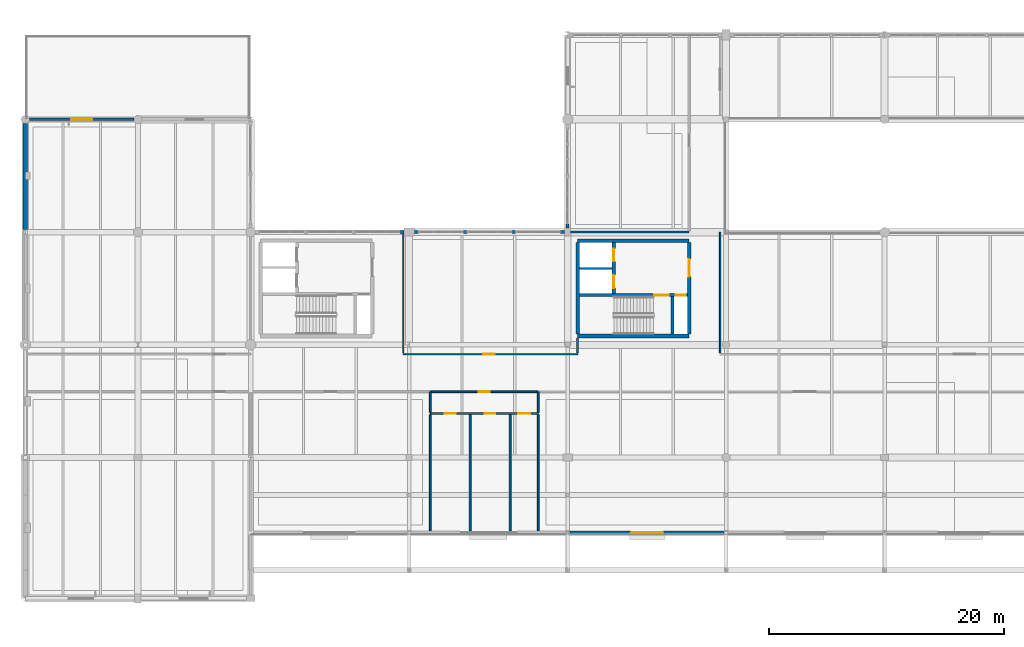
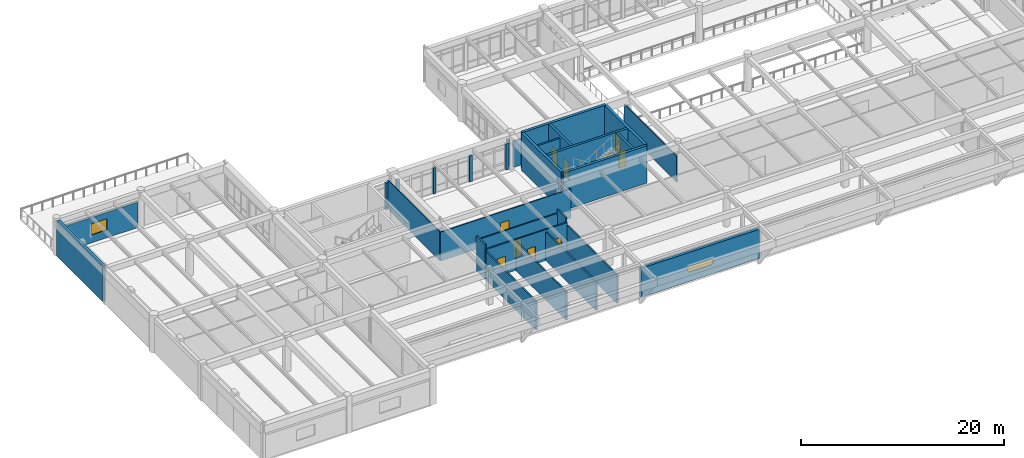
# One storey, part 65 of 80: 30 walls, 10 doors, 2 windows, 12 openings.
"""IFC4 building model written with IfcOpenShell, lengths in metres."""

from ifc_helpers import new_model, si_unit, direction, frame, frame_2d, origin, place, context, subcontext, project, spatial, polyline, rectangle, outline, extrude, material, layer, layer_set, type_object, element, fill, save


model = new_model("IFC4")

# Units and contexts
model_context = context("Model", 3, precision=1e-05, world=origin(), true_north=direction((0.0, 1.0)))
body_context = subcontext(model_context, "Body", "Model", "MODEL_VIEW")
ifc_project = project(units=[si_unit("LENGTHUNIT", "METRE"), si_unit("AREAUNIT", "SQUARE_METRE"), si_unit("VOLUMEUNIT", "CUBIC_METRE"), si_unit("PLANEANGLEUNIT", "RADIAN"), si_unit("MASSUNIT", "GRAM", prefix="KILO")], contexts=[model_context])

# Site, building, storey
site_placement = place(None, origin())
site = spatial("IfcSite", under=ifc_project, at=site_placement, CompositionType="ELEMENT")
building_placement = place(site_placement, origin())
building = spatial("IfcBuilding", under=site, at=building_placement, Name="Fikremerkos Civic Library", CompositionType="ELEMENT")
storey_placement = place(building_placement, frame((0.0, 0.0, 9.89990234375)))
storey = spatial("IfcBuildingStorey", under=building, at=storey_placement, Name="L02", CompositionType="ELEMENT", Elevation=9.89990234375)

# Walls
ifc_material_1 = material(Name="Concrete C40/50", Category="concrete")
ifc_layer_1 = layer(ifc_material_1, 0.300048828125, Name="Concrete C40/50")
ifc_layer_set_1 = layer_set([ifc_layer_1], Name="Concrete C40/50")
wall_type_1 = type_object("IfcWallType", Name="Core shear wall CSW-01 300", PredefinedType="SHEAR", material=ifc_layer_set_1)
for number, where, z_axis, x_axis, name in (
    (1, (56.550048828125, 22.35009765625, 0.0), (0.0, 0.0, 1.0), (-1.0, 0.0, 0.0), "Core K3 south shear wall L02"),
    (2, (47.050048828125, 30.449951171875, 0.0), (0.0, 0.0, 1.0), (1.0, 0.0, 0.0), "Core K3 north shear wall L02"),
):
    element("IfcWall", number, at=place(storey_placement, frame(where, z_axis=z_axis, x_axis=x_axis)), inside=storey, type_object=wall_type_1, Name=name, PredefinedType="SHEAR", context=body_context, shape_type="SweptSolid", body=[
        extrude(rectangle(XDim=9.5, YDim=0.300048828125, at=frame_2d((4.75, 0.0))), origin(), (0.0, 0.0, 1.0), 4.5),
    ])
wall_1_placement = place(storey_placement, frame((47.050048828125, 22.501953125, 0.0), z_axis=(0.0, 0.0, 1.0), x_axis=(0.0, 1.0, 0.0)))
element("IfcWall", 3, at=wall_1_placement, inside=storey, type_object=wall_type_1, Name="Core K3 west shear wall L02", PredefinedType="SHEAR", context=body_context, shape_type="SweptSolid", body=[
    extrude(rectangle(XDim=7.796142578125, YDim=0.300048828125, at=frame_2d((3.89794921875, 0.0))), origin(), (0.0, 0.0, 1.0), 4.5),
])

# Wall, opening, door
wall_2_placement = place(storey_placement, frame((56.550048828125, 30.298095703125, 0.0), z_axis=(0.0, 0.0, 1.0), x_axis=(0.0, -1.0, 0.0)))
wall_2 = element("IfcWall", 4, at=wall_2_placement, inside=storey, type_object=wall_type_1, Name="Core K3 east shear wall L02", PredefinedType="SHEAR", context=body_context, shape_type="SweptSolid", body=[
    extrude(rectangle(XDim=7.796142578125, YDim=0.300048828125, at=frame_2d((3.89794921875, 0.0))), origin(), (0.0, 0.0, 1.0), 4.5),
])
opening_1_placement = place(wall_2_placement, frame((1.39794921875, 0.0, 0.0)))
opening_1 = element("IfcOpeningElement", 5, at=opening_1_placement, cuts=wall_2, Name="Opening D089", PredefinedType="OPENING", context=body_context, shape_type="SweptSolid", body=[
    extrude(rectangle(XDim=1.5, YDim=2.25, at=frame_2d((0.75, 1.125))), frame((0.0, 0.159912109375, 0.0), z_axis=(0.0, -1.0, 0.0), x_axis=(1.0, 0.0, 0.0)), (0.0, 0.0, 1.0), 0.320068359375),
])
ifc_material_2 = material(Name="Hardwood timber and acoustic glass", Category="wood")
door_type_1 = type_object("IfcDoorType", Name="Pedestrian door DT-05 1500x2250", OperationType="NOTDEFINED", PredefinedType="DOOR", material=ifc_material_2)
door_1_placement = place(opening_1_placement, origin())
door_1 = element("IfcDoor", 6, at=door_1_placement, inside=storey, type_object=door_type_1, Name="Core K3 lobby fire door D089 L02", OperationType="SINGLE_SWING_RIGHT", OverallHeight=2.25, OverallWidth=1.5, PredefinedType="DOOR", context=body_context, shape_type="SweptSolid", body=[
    extrude(rectangle(XDim=1.5, YDim=2.25, at=frame_2d((0.75, 1.125))), frame((0.0, 0.032470703125, 0.0), z_axis=(0.0, -1.0, 0.0), x_axis=(1.0, 0.0, 0.0)), (0.0, 0.0, 1.0), 0.06494140625),
])
fill(opening_1, door_1)

# Wall, openings, doors
ifc_layer_2 = layer(ifc_material_1, 0.260009765625, Name="Concrete C40/50")
ifc_layer_set_2 = layer_set([ifc_layer_2], Name="Concrete C40/50")
wall_type_2 = type_object("IfcWallType", Name="Core shear wall CSW-02 260", PredefinedType="SHEAR", material=ifc_layer_set_2)
wall_3_placement = place(storey_placement, frame((47.201904296875, 25.830078125, 0.0), z_axis=(0.0, 0.0, 1.0), x_axis=(1.0, 0.0, 0.0)))
wall_3 = element("IfcWall", 7, at=wall_3_placement, inside=storey, type_object=wall_type_2, Name="Core K3 stair compartment wall L02", PredefinedType="SHEAR", context=body_context, shape_type="SweptSolid", body=[
    extrude(rectangle(XDim=9.196044921875, YDim=0.260009765625, at=frame_2d((4.59814453125, 0.0))), origin(), (0.0, 0.0, 1.0), 4.5),
])
opening_2_placement = place(wall_3_placement, frame((6.39794921875, 0.0, 0.0)))
opening_2 = element("IfcOpeningElement", 8, at=opening_2_placement, cuts=wall_3, Name="Opening D090", PredefinedType="OPENING", context=body_context, shape_type="SweptSolid", body=[
    extrude(rectangle(XDim=1.199951171875, YDim=2.199951171875, at=frame_2d((0.60009765625, 1.10009765625))), frame((0.0, 0.139892578125, 0.0), z_axis=(0.0, -1.0, 0.0), x_axis=(1.0, 0.0, 0.0)), (0.0, 0.0, 1.0), 0.280029296875),
])
opening_3_placement = place(wall_3_placement, frame((8.202880859375, 0.0, 0.0)))
opening_3 = element("IfcOpeningElement", 9, at=opening_3_placement, cuts=wall_3, Name="Opening D091", PredefinedType="OPENING", context=body_context, shape_type="SweptSolid", body=[
    extrude(rectangle(XDim=0.85009765625, YDim=2.050048828125, at=frame_2d((0.425048828125, 1.02490234375))), frame((0.0, 0.139892578125, 0.0), z_axis=(0.0, -1.0, 0.0), x_axis=(1.0, 0.0, 0.0)), (0.0, 0.0, 1.0), 0.280029296875),
])
door_type_2 = type_object("IfcDoorType", Name="Pedestrian door DT-06 1200x2200", OperationType="NOTDEFINED", PredefinedType="DOOR", material=ifc_material_2)
door_2_placement = place(opening_2_placement, origin())
door_2 = element("IfcDoor", 10, at=door_2_placement, inside=storey, type_object=door_type_2, Name="Core K3 stair fire door D090 L02", OperationType="SINGLE_SWING_RIGHT", OverallHeight=2.199951171875, OverallWidth=1.199951171875, PredefinedType="DOOR", context=body_context, shape_type="SweptSolid", body=[
    extrude(rectangle(XDim=1.199951171875, YDim=2.199951171875, at=frame_2d((0.60009765625, 1.10009765625))), frame((0.0, 0.032470703125, 0.0), z_axis=(0.0, -1.0, 0.0), x_axis=(1.0, 0.0, 0.0)), (0.0, 0.0, 1.0), 0.06494140625),
])
fill(opening_2, door_2)
door_type_3 = type_object("IfcDoorType", Name="Pedestrian door DT-08 850x2050", OperationType="NOTDEFINED", PredefinedType="DOOR", material=ifc_material_2)
door_3_placement = place(opening_3_placement, origin())
door_3 = element("IfcDoor", 11, at=door_3_placement, inside=storey, type_object=door_type_3, Name="Core K3 riser access fire door D091 L02", OperationType="SINGLE_SWING_LEFT", OverallHeight=2.050048828125, OverallWidth=0.85009765625, PredefinedType="DOOR", context=body_context, shape_type="SweptSolid", body=[
    extrude(rectangle(XDim=0.85009765625, YDim=2.050048828125, at=frame_2d((0.425048828125, 1.02490234375))), frame((0.0, 0.032470703125, 0.0), z_axis=(0.0, -1.0, 0.0), x_axis=(1.0, 0.0, 0.0)), (0.0, 0.0, 1.0), 0.06494140625),
])
fill(opening_3, door_3)

# Wall
wall_4_placement = place(storey_placement, frame((55.1298828125, 22.501953125, 0.0), z_axis=(0.0, 0.0, 1.0), x_axis=(0.0, 1.0, 0.0)))
element("IfcWall", 12, at=wall_4_placement, inside=storey, type_object=wall_type_2, Name="Core K3 stair-riser shear wall L02", PredefinedType="SHEAR", context=body_context, shape_type="SweptSolid", body=[
    extrude(rectangle(XDim=3.196044921875, YDim=0.260009765625, at=frame_2d((1.59814453125, 0.0))), origin(), (0.0, 0.0, 1.0), 4.5),
])

# Wall, openings, doors
wall_5_placement = place(storey_placement, frame((50.1298828125, 25.9619140625, 0.0), z_axis=(0.0, 0.0, 1.0), x_axis=(0.0, 1.0, 0.0)))
wall_5 = element("IfcWall", 13, at=wall_5_placement, inside=storey, type_object=wall_type_2, Name="Core K3 lift shaft front wall L02", PredefinedType="SHEAR", context=body_context, shape_type="SweptSolid", body=[
    extrude(rectangle(XDim=4.336181640625, YDim=0.260009765625, at=frame_2d((2.16796875, 0.0))), origin(), (0.0, 0.0, 1.0), 4.5),
])
opening_4_placement = place(wall_5_placement, frame((0.468017578125, 0.0, 0.0)))
opening_4 = element("IfcOpeningElement", 14, at=opening_4_placement, cuts=wall_5, Name="Opening LD41", PredefinedType="OPENING", context=body_context, shape_type="SweptSolid", body=[
    extrude(rectangle(XDim=1.10009765625, YDim=2.14990234375, at=frame_2d((0.550048828125, 1.074951171875))), frame((0.0, 0.139892578125, 0.0), z_axis=(0.0, -1.0, 0.0), x_axis=(1.0, 0.0, 0.0)), (0.0, 0.0, 1.0), 0.280029296875),
])
opening_5_placement = place(wall_5_placement, frame((2.738037109375, 0.0, 0.0)))
opening_5 = element("IfcOpeningElement", 15, at=opening_5_placement, cuts=wall_5, Name="Opening LD42", PredefinedType="OPENING", context=body_context, shape_type="SweptSolid", body=[
    extrude(rectangle(XDim=1.10009765625, YDim=2.14990234375, at=frame_2d((0.550048828125, 1.074951171875))), frame((0.0, 0.139892578125, 0.0), z_axis=(0.0, -1.0, 0.0), x_axis=(1.0, 0.0, 0.0)), (0.0, 0.0, 1.0), 0.280029296875),
])
ifc_material_3 = material(Name="Brushed stainless steel", Category="steel")
door_type_4 = type_object("IfcDoorType", Name="Lift landing door LDT-01 1100x2150", OperationType="NOTDEFINED", PredefinedType="DOOR", material=ifc_material_3)
door_4_placement = place(opening_4_placement, origin())
door_4 = element("IfcDoor", 16, at=door_4_placement, inside=storey, type_object=door_type_4, Name="Lift LF05 sliding landing door LD41 L02", OperationType="SLIDING_TO_LEFT", OverallHeight=2.14990234375, OverallWidth=1.10009765625, PredefinedType="DOOR", context=body_context, shape_type="SweptSolid", body=[
    extrude(rectangle(XDim=1.10009765625, YDim=2.14990234375, at=frame_2d((0.550048828125, 1.074951171875))), frame((0.0, 0.032470703125, 0.0), z_axis=(0.0, -1.0, 0.0), x_axis=(1.0, 0.0, 0.0)), (0.0, 0.0, 1.0), 0.06494140625),
])
fill(opening_4, door_4)
door_5_placement = place(opening_5_placement, origin())
door_5 = element("IfcDoor", 17, at=door_5_placement, inside=storey, type_object=door_type_4, Name="Lift LF06 sliding landing door LD42 L02", OperationType="SLIDING_TO_LEFT", OverallHeight=2.14990234375, OverallWidth=1.10009765625, PredefinedType="DOOR", context=body_context, shape_type="SweptSolid", body=[
    extrude(rectangle(XDim=1.10009765625, YDim=2.14990234375, at=frame_2d((0.550048828125, 1.074951171875))), frame((0.0, 0.032470703125, 0.0), z_axis=(0.0, -1.0, 0.0), x_axis=(1.0, 0.0, 0.0)), (0.0, 0.0, 1.0), 0.06494140625),
])
fill(opening_5, door_5)

# Wall
ifc_layer_3 = layer(ifc_material_1, 0.35009765625, Name="Concrete C40/50")
ifc_layer_set_3 = layer_set([ifc_layer_3], Name="Concrete C40/50")
wall_type_3 = type_object("IfcWallType", Name="Exterior solid wall ESW-01 350", PredefinedType="SOLIDWALL", material=ifc_layer_set_3)
wall_6_placement = place(storey_placement, frame((0.0, 31.41796875, 0.0), z_axis=(0.0, 0.0, 1.0), x_axis=(0.0, 1.0, 0.0)))
element("IfcWall", 18, at=wall_6_placement, inside=storey, type_object=wall_type_3, Name="Party boundary wall ESW-01 L02 #474", PredefinedType="SOLIDWALL", context=body_context, shape_type="SweptSolid", body=[
    extrude(rectangle(XDim=9.033935546875, YDim=0.35009765625, at=frame_2d((4.51708984375, 0.0))), origin(), (0.0, 0.0, 1.0), 4.260009765625),
])

# Wall, opening, window
ifc_material_4 = material(Name="Precast concrete C40/50", Category="concrete")
ifc_layer_4 = layer(ifc_material_4, 0.300048828125, Name="Precast concrete C40/50")
ifc_layer_set_4 = layer_set([ifc_layer_4], Name="Precast concrete C40/50")
wall_type_4 = type_object("IfcWallType", Name="Exterior solid wall ESW-03 300", PredefinedType="SOLIDWALL", material=ifc_layer_set_4)
wall_7_placement = place(storey_placement, frame((59.697998046875, 5.60009765625, 0.0), z_axis=(0.0, 0.0, 1.0), x_axis=(-1.0, 0.0, 0.0)))
wall_7 = element("IfcWall", 19, at=wall_7_placement, inside=storey, type_object=wall_type_4, Name="Cantilever concrete band wall ESW-03 L02 #461", PredefinedType="SOLIDWALL", context=body_context, shape_type="SweptSolid", body=[
    extrude(rectangle(XDim=13.49609375, YDim=0.300048828125, at=frame_2d((6.748046875, 0.0))), origin(), (0.0, 0.0, 1.0), 3.5),
])
opening_6_placement = place(wall_7_placement, frame((5.248046875, 0.0, 1.10009765625)))
opening_6 = element("IfcOpeningElement", 20, at=opening_6_placement, cuts=wall_7, Name="Opening SW-12", PredefinedType="OPENING", context=body_context, shape_type="SweptSolid", body=[
    extrude(outline(polyline([(0.35009765625, 0.699951171875), (0.230224609375, 0.678955078125), (0.125, 0.6181640625), (0.046875, 0.52490234375), (0.00537109375, 0.41064453125), (0.00537109375, 0.289306640625), (0.046875, 0.175048828125), (0.125, 0.081787109375), (0.230224609375, 0.02099609375), (0.349853515625, 0.0), (2.64990234375, 0.0), (2.769775390625, 0.02099609375), (2.875, 0.081787109375), (2.953125, 0.175048828125), (2.99462890625, 0.289306640625), (2.99462890625, 0.41064453125), (2.953125, 0.52490234375), (2.875, 0.6181640625), (2.769775390625, 0.678955078125), (2.64990234375, 0.699951171875), (0.35009765625, 0.699951171875)])), frame((0.0, 0.159912109375, 0.0), z_axis=(0.0, -1.0, 0.0), x_axis=(1.0, 0.0, 0.0)), (0.0, 0.0, 1.0), 0.320068359375),
])
ifc_material_5 = material(Name="Solar control double glazing", Category="glass")
window_type_1 = type_object("IfcWindowType", Name="Facade slot window SW-12 3000x700", PartitioningType="SINGLE_PANEL", PredefinedType="WINDOW", material=ifc_material_5)
window_1_placement = place(opening_6_placement, origin())
window_1 = element("IfcWindow", 21, at=window_1_placement, inside=storey, type_object=window_type_1, Name="Rounded-end facade slot window SW-12 L02 #12", OverallHeight=0.699951171875, OverallWidth=3.0, PartitioningType="SINGLE_PANEL", PredefinedType="WINDOW", context=body_context, shape_type="SweptSolid", body=[
    extrude(outline(polyline([(0.35009765625, 0.699951171875), (0.230224609375, 0.678955078125), (0.125, 0.6181640625), (0.046875, 0.52490234375), (0.00537109375, 0.41064453125), (0.00537109375, 0.289306640625), (0.046875, 0.175048828125), (0.125, 0.081787109375), (0.230224609375, 0.02099609375), (0.349853515625, 0.0), (2.64990234375, 0.0), (2.769775390625, 0.02099609375), (2.875, 0.081787109375), (2.953125, 0.175048828125), (2.99462890625, 0.289306640625), (2.99462890625, 0.41064453125), (2.953125, 0.52490234375), (2.875, 0.6181640625), (2.769775390625, 0.678955078125), (2.64990234375, 0.699951171875), (0.35009765625, 0.699951171875)])), frame((0.0, 0.032470703125, 0.0), z_axis=(0.0, -1.0, 0.0), x_axis=(1.0, 0.0, 0.0)), (0.0, 0.0, 1.0), 0.06494140625),
])
fill(opening_6, window_1)

# Walls
ifc_layer_5 = layer(ifc_material_4, 0.25, Name="Precast concrete C40/50")
ifc_layer_set_5 = layer_set([ifc_layer_5], Name="Precast concrete C40/50")
wall_type_5 = type_object("IfcWallType", Name="Exterior solid wall ESW-05 250", PredefinedType="SOLIDWALL", material=ifc_layer_set_5)
wall_8_placement = place(storey_placement, frame((31.902099609375, 31.199951171875, 0.0), z_axis=(0.0, 0.0, 1.0), x_axis=(1.0, 0.0, 0.0)))
element("IfcWall", 22, at=wall_8_placement, inside=storey, type_object=wall_type_5, Name="Exterior facade pier ESW-05 #481", PredefinedType="SOLIDWALL", context=body_context, shape_type="SweptSolid", body=[
    extrude(rectangle(XDim=0.349853515625, YDim=0.25, at=frame_2d((0.1748046875, 0.0))), origin(), (0.0, 0.0, 1.0), 3.2001953125),
])
wall_9_placement = place(storey_placement, frame((33.14794921875, 31.199951171875, 0.0), z_axis=(0.0, 0.0, 1.0), x_axis=(1.0, 0.0, 0.0)))
element("IfcWall", 23, at=wall_9_placement, inside=storey, type_object=wall_type_5, Name="Exterior facade pier ESW-05 #484", PredefinedType="SOLIDWALL", context=body_context, shape_type="SweptSolid", body=[
    extrude(rectangle(XDim=0.35009765625, YDim=0.25, at=frame_2d((0.175048828125, 0.0))), origin(), (0.0, 0.0, 1.0), 3.150146484375),
])
wall_10_placement = place(storey_placement, frame((45.60205078125, 31.199951171875, 0.0), z_axis=(0.0, 0.0, 1.0), x_axis=(1.0, 0.0, 0.0)))
element("IfcWall", 24, at=wall_10_placement, inside=storey, type_object=wall_type_5, Name="Exterior facade pier ESW-05 #485", PredefinedType="SOLIDWALL", context=body_context, shape_type="SweptSolid", body=[
    extrude(rectangle(XDim=0.349853515625, YDim=0.25, at=frame_2d((0.1748046875, 0.0))), origin(), (0.0, 0.0, 1.0), 3.150146484375),
])
wall_11_placement = place(storey_placement, frame((37.332763671875, 31.199951171875, 0.0), z_axis=(0.0, 0.0, 1.0), x_axis=(1.0, 0.0, 0.0)))
element("IfcWall", 25, at=wall_11_placement, inside=storey, type_object=wall_type_5, Name="Exterior facade mullion pier ESW-05 #486", PredefinedType="SOLIDWALL", context=body_context, shape_type="SweptSolid", body=[
    extrude(rectangle(XDim=0.2998046875, YDim=0.25, at=frame_2d((0.14990234375, 0.0))), origin(), (0.0, 0.0, 1.0), 3.150146484375),
])
wall_12_placement = place(storey_placement, frame((41.46728515625, 31.199951171875, 0.0), z_axis=(0.0, 0.0, 1.0), x_axis=(1.0, 0.0, 0.0)))
element("IfcWall", 26, at=wall_12_placement, inside=storey, type_object=wall_type_5, Name="Exterior facade mullion pier ESW-05 #487", PredefinedType="SOLIDWALL", context=body_context, shape_type="SweptSolid", body=[
    extrude(rectangle(XDim=0.300048828125, YDim=0.25, at=frame_2d((0.14990234375, 0.0))), origin(), (0.0, 0.0, 1.0), 3.150146484375),
])
wall_13_placement = place(storey_placement, frame((46.199951171875, 31.548095703125, 0.0), z_axis=(0.0, 0.0, 1.0), x_axis=(0.0, 1.0, 0.0)))
element("IfcWall", 27, at=wall_13_placement, inside=storey, type_object=wall_type_5, Name="Exterior facade pier ESW-05 #488", PredefinedType="SOLIDWALL", context=body_context, shape_type="SweptSolid", body=[
    extrude(rectangle(XDim=0.349853515625, YDim=0.25, at=frame_2d((0.1748046875, 0.0))), origin(), (0.0, 0.0, 1.0), 3.150146484375),
])

# Wall, opening, window
ifc_layer_6 = layer(ifc_material_4, 0.219970703125, Name="Precast concrete C40/50")
ifc_layer_set_6 = layer_set([ifc_layer_6], Name="Precast concrete C40/50")
wall_type_6 = type_object("IfcWallType", Name="Exterior solid wall ESW-06 220", PredefinedType="SOLIDWALL", material=ifc_layer_set_6)
wall_14_placement = place(storey_placement, frame((0.347900390625, 40.800048828125, 0.0), z_axis=(0.0, 0.0, 1.0), x_axis=(1.0, 0.0, 0.0)))
wall_14 = element("IfcWall", 28, at=wall_14_placement, inside=storey, type_object=wall_type_6, Name="Exterior solid wall ESW-06 L02 #475", PredefinedType="SOLIDWALL", context=body_context, shape_type="SweptSolid", body=[
    extrude(rectangle(XDim=8.904052734375, YDim=0.219970703125, at=frame_2d((4.4521484375, 0.0))), origin(), (0.0, 0.0, 1.0), 3.06005859375),
])
opening_7_placement = place(wall_14_placement, frame((3.552001953125, 0.0, 0.949951171875)))
opening_7 = element("IfcOpeningElement", 29, at=opening_7_placement, cuts=wall_14, Name="Opening CWND-09", PredefinedType="OPENING", context=body_context, shape_type="SweptSolid", body=[
    extrude(rectangle(XDim=1.800048828125, YDim=1.35009765625, at=frame_2d((0.89990234375, 0.675048828125))), frame((0.0, 0.119873046875, 0.0), z_axis=(0.0, -1.0, 0.0), x_axis=(1.0, 0.0, 0.0)), (0.0, 0.0, 1.0), 0.239990234375),
])
window_type_2 = type_object("IfcWindowType", Name="Courtyard window CWND-09 1800x1350", PartitioningType="SINGLE_PANEL", PredefinedType="WINDOW", material=ifc_material_5)
window_2_placement = place(opening_7_placement, origin())
window_2 = element("IfcWindow", 30, at=window_2_placement, inside=storey, type_object=window_type_2, Name="Courtyard window CWND-09 L02 #25", OverallHeight=1.35009765625, OverallWidth=1.800048828125, PartitioningType="SINGLE_PANEL", PredefinedType="WINDOW", context=body_context, shape_type="SweptSolid", body=[
    extrude(rectangle(XDim=1.800048828125, YDim=1.35009765625, at=frame_2d((0.89990234375, 0.675048828125))), frame((0.0, 0.032470703125, 0.0), z_axis=(0.0, -1.0, 0.0), x_axis=(1.0, 0.0, 0.0)), (0.0, 0.0, 1.0), 0.06494140625),
])
fill(opening_7, window_2)

# Walls
ifc_material_6 = material(Name="Acoustic concrete blockwork", Category="masonry")
ifc_layer_7 = layer(ifc_material_6, 0.18994140625, Name="Acoustic concrete blockwork")
ifc_layer_set_7 = layer_set([ifc_layer_7], Name="Acoustic concrete blockwork")
wall_type_7 = type_object("IfcWallType", Name="Interior partition wall IPW-01 190", PredefinedType="PARTITIONING", material=ifc_layer_set_7)
wall_15_placement = place(storey_placement, frame((46.452880859375, 31.199951171875, 0.0), z_axis=(0.0, 0.0, 1.0), x_axis=(1.0, 0.0, 0.0)))
element("IfcWall", 31, at=wall_15_placement, inside=storey, type_object=wall_type_7, Name="Interior wall IPW-01 L02 #188", PredefinedType="PARTITIONING", context=body_context, shape_type="SweptSolid", body=[
    extrude(rectangle(XDim=10.09716796875, YDim=0.18994140625, at=frame_2d((5.048583984375, 0.0))), origin(), (0.0, 0.0, 1.0), 3.150146484375),
])
wall_16_placement = place(storey_placement, frame((47.050048828125, 20.905029296875, 0.0), z_axis=(0.0, 0.0, 1.0), x_axis=(0.0, 1.0, 0.0)))
element("IfcWall", 32, at=wall_16_placement, inside=storey, type_object=wall_type_7, Name="Interior wall IPW-01 L02 #196", PredefinedType="PARTITIONING", context=body_context, shape_type="SweptSolid", body=[
    extrude(rectangle(XDim=1.2919921875, YDim=0.18994140625, at=frame_2d((0.64599609375, 0.0))), origin(), (0.0, 0.0, 1.0), 3.300048828125),
])

# Wall, opening, door
ifc_material_7 = material(Name="Acoustic gypsum stud partition")
ifc_layer_8 = layer(ifc_material_7, 0.14990234375, Name="Acoustic gypsum stud partition")
ifc_layer_set_8 = layer_set([ifc_layer_8], Name="Acoustic gypsum stud partition")
wall_type_8 = type_object("IfcWallType", Name="Interior partition wall IPW-02 150", PredefinedType="PARTITIONING", material=ifc_layer_set_8)
wall_17_placement = place(storey_placement, frame((34.550048828125, 17.60009765625, 0.0), z_axis=(0.0, 0.0, 1.0), x_axis=(1.0, 0.0, 0.0)))
wall_17 = element("IfcWall", 33, at=wall_17_placement, inside=storey, type_object=wall_type_8, Name="Interior wall IPW-02 L02 #189", PredefinedType="PARTITIONING", context=body_context, shape_type="SweptSolid", body=[
    extrude(rectangle(XDim=9.099853515625, YDim=0.14990234375, at=frame_2d((4.5498046875, 0.0))), origin(), (0.0, 0.0, 1.0), 3.7001953125),
])
opening_8_placement = place(wall_17_placement, frame((4.074951171875, 0.0, 0.0)))
opening_8 = element("IfcOpeningElement", 34, at=opening_8_placement, cuts=wall_17, Name="Opening D214", PredefinedType="OPENING", context=body_context, shape_type="SweptSolid", body=[
    extrude(rectangle(XDim=0.949951171875, YDim=2.14990234375, at=frame_2d((0.47509765625, 1.074951171875))), frame((0.0, 0.0849609375, 0.0), z_axis=(0.0, -1.0, 0.0), x_axis=(1.0, 0.0, 0.0)), (0.0, 0.0, 1.0), 0.169921875),
])
door_type_5 = type_object("IfcDoorType", Name="Pedestrian door DT-02 950x2150", OperationType="NOTDEFINED", PredefinedType="DOOR", material=ifc_material_2)
door_6_placement = place(opening_8_placement, origin())
door_6 = element("IfcDoor", 35, at=door_6_placement, inside=storey, type_object=door_type_5, Name="Interior door D214 L02", OperationType="SINGLE_SWING_LEFT", OverallHeight=2.14990234375, OverallWidth=0.949951171875, PredefinedType="DOOR", context=body_context, shape_type="SweptSolid", body=[
    extrude(rectangle(XDim=0.949951171875, YDim=2.14990234375, at=frame_2d((0.47509765625, 1.074951171875))), frame((0.0, 0.032470703125, 0.0), z_axis=(0.0, -1.0, 0.0), x_axis=(1.0, 0.0, 0.0)), (0.0, 0.0, 1.0), 0.06494140625),
])
fill(opening_8, door_6)

# Wall
ifc_material_8 = material(Name="Gypsum metal stud partition")
ifc_layer_9 = layer(ifc_material_8, 0.1298828125, Name="Gypsum metal stud partition")
ifc_layer_set_9 = layer_set([ifc_layer_9], Name="Gypsum metal stud partition")
wall_type_9 = type_object("IfcWallType", Name="Interior partition wall IPW-03 130", PredefinedType="PARTITIONING", material=ifc_layer_set_9)
wall_18_placement = place(storey_placement, frame((59.199951171875, 20.905029296875, 0.0), z_axis=(0.0, 0.0, 1.0), x_axis=(0.0, 1.0, 0.0)))
element("IfcWall", 36, at=wall_18_placement, inside=storey, type_object=wall_type_9, Name="Interior wall IPW-03 L02 #198", PredefinedType="PARTITIONING", context=body_context, shape_type="SweptSolid", body=[
    extrude(rectangle(XDim=10.294921875, YDim=0.1298828125, at=frame_2d((5.1474609375, 0.0))), origin(), (0.0, 0.0, 1.0), 3.150146484375),
])

# Wall, opening, door
ifc_material_9 = material(Name="Lightweight metal stud partition")
ifc_layer_10 = layer(ifc_material_9, 0.110107421875, Name="Lightweight metal stud partition")
ifc_layer_set_10 = layer_set([ifc_layer_10], Name="Lightweight metal stud partition")
wall_type_10 = type_object("IfcWallType", Name="Interior partition wall IPW-04 110", PredefinedType="PARTITIONING", material=ifc_layer_set_10)
wall_19_placement = place(storey_placement, frame((32.199951171875, 20.800048828125, 0.0), z_axis=(0.0, 0.0, 1.0), x_axis=(1.0, 0.0, 0.0)))
wall_19 = element("IfcWall", 37, at=wall_19_placement, inside=storey, type_object=wall_type_10, Name="Interior wall IPW-04 L02 #187", PredefinedType="PARTITIONING", context=body_context, shape_type="SweptSolid", body=[
    extrude(rectangle(XDim=14.85009765625, YDim=0.110107421875, at=frame_2d((7.425048828125, 0.0))), origin(), (0.0, 0.0, 1.0), 3.5),
])
opening_9_placement = place(wall_19_placement, frame((6.800048828125, 0.0, 0.0)))
opening_9 = element("IfcOpeningElement", 38, at=opening_9_placement, cuts=wall_19, Name="Opening D224", PredefinedType="OPENING", context=body_context, shape_type="SweptSolid", body=[
    extrude(rectangle(XDim=1.0, YDim=2.199951171875, at=frame_2d((0.5, 1.10009765625))), frame((0.0, 0.06494140625, 0.0), z_axis=(0.0, -1.0, 0.0), x_axis=(1.0, 0.0, 0.0)), (0.0, 0.0, 1.0), 0.130126953125),
])
door_type_6 = type_object("IfcDoorType", Name="Pedestrian door DT-01 1000x2200", OperationType="NOTDEFINED", PredefinedType="DOOR", material=ifc_material_2)
door_7_placement = place(opening_9_placement, origin())
door_7 = element("IfcDoor", 39, at=door_7_placement, inside=storey, type_object=door_type_6, Name="Interior door D224 L02", OperationType="SINGLE_SWING_LEFT", OverallHeight=2.199951171875, OverallWidth=1.0, PredefinedType="DOOR", context=body_context, shape_type="SweptSolid", body=[
    extrude(rectangle(XDim=1.0, YDim=2.199951171875, at=frame_2d((0.5, 1.10009765625))), frame((0.0, 0.032470703125, 0.0), z_axis=(0.0, -1.0, 0.0), x_axis=(1.0, 0.0, 0.0)), (0.0, 0.0, 1.0), 0.06494140625),
])
fill(opening_9, door_7)

# Walls
wall_20_placement = place(storey_placement, frame((32.199951171875, 20.905029296875, 0.0), z_axis=(0.0, 0.0, 1.0), x_axis=(0.0, 1.0, 0.0)))
element("IfcWall", 40, at=wall_20_placement, inside=storey, type_object=wall_type_10, Name="Interior wall IPW-04 L02 #195", PredefinedType="PARTITIONING", context=body_context, shape_type="SweptSolid", body=[
    extrude(rectangle(XDim=10.166015625, YDim=0.110107421875, at=frame_2d((5.0830078125, 0.0))), origin(), (0.0, 0.0, 1.0), 3.5),
])
ifc_material_10 = material(Name="Concrete C35/45", Category="concrete")
ifc_layer_11 = layer(ifc_material_10, 0.199951171875, Name="Concrete C35/45")
ifc_layer_set_11 = layer_set([ifc_layer_11], Name="Concrete C35/45")
wall_type_11 = type_object("IfcWallType", Name="Service duct wall SDW-01 200", PredefinedType="PLUMBINGWALL", material=ifc_layer_set_11)
wall_21_placement = place(storey_placement, frame((47.201904296875, 28.10009765625, 0.0), z_axis=(0.0, 0.0, 1.0), x_axis=(1.0, 0.0, 0.0)))
element("IfcWall", 41, at=wall_21_placement, inside=storey, type_object=wall_type_11, Name="Core K3 inter-lift shaft wall L02", PredefinedType="PLUMBINGWALL", context=body_context, shape_type="SweptSolid", body=[
    extrude(rectangle(XDim=2.796142578125, YDim=0.199951171875, at=frame_2d((1.39794921875, 0.0))), origin(), (0.0, 0.0, 1.0), 4.16015625),
])

# Wall, openings, doors
ifc_material_11 = material(Name="Aerated concrete blockwork", Category="masonry")
ifc_layer_12 = layer(ifc_material_11, 0.159912109375, Name="Aerated concrete blockwork")
ifc_layer_set_12 = layer_set([ifc_layer_12], Name="Aerated concrete blockwork")
wall_type_12 = type_object("IfcWallType", Name="Service duct wall SDW-02 160", PredefinedType="PLUMBINGWALL", material=ifc_layer_set_12)
wall_22_placement = place(storey_placement, frame((34.5, 15.75, 0.0), z_axis=(0.0, 0.0, 1.0), x_axis=(1.0, 0.0, 0.0)))
wall_22 = element("IfcWall", 42, at=wall_22_placement, inside=storey, type_object=wall_type_12, Name="Interior wall SDW-02 L02 #178", PredefinedType="PLUMBINGWALL", context=body_context, shape_type="SweptSolid", body=[
    extrude(rectangle(XDim=9.199951171875, YDim=0.159912109375, at=frame_2d((4.60009765625, 0.0))), origin(), (0.0, 0.0, 1.0), 3.7001953125),
])
opening_10_placement = place(wall_22_placement, frame((1.25, 0.0, 0.0)))
opening_10 = element("IfcOpeningElement", 43, at=opening_10_placement, cuts=wall_22, Name="Opening D215", PredefinedType="OPENING", context=body_context, shape_type="SweptSolid", body=[
    extrude(rectangle(XDim=0.89990234375, YDim=2.10009765625, at=frame_2d((0.449951171875, 1.050048828125))), frame((0.0, 0.08984375, 0.0), z_axis=(0.0, -1.0, 0.0), x_axis=(1.0, 0.0, 0.0)), (0.0, 0.0, 1.0), 0.179931640625),
])
opening_11_placement = place(wall_22_placement, frame((4.64990234375, 0.0, 0.0)))
opening_11 = element("IfcOpeningElement", 44, at=opening_11_placement, cuts=wall_22, Name="Opening D216", PredefinedType="OPENING", context=body_context, shape_type="SweptSolid", body=[
    extrude(rectangle(XDim=0.89990234375, YDim=2.10009765625, at=frame_2d((0.449951171875, 1.050048828125))), frame((0.0, 0.08984375, 0.0), z_axis=(0.0, -1.0, 0.0), x_axis=(1.0, 0.0, 0.0)), (0.0, 0.0, 1.0), 0.179931640625),
])
opening_12_placement = place(wall_22_placement, frame((7.47509765625, 0.0, 0.0)))
opening_12 = element("IfcOpeningElement", 45, at=opening_12_placement, cuts=wall_22, Name="Opening D217", PredefinedType="OPENING", context=body_context, shape_type="SweptSolid", body=[
    extrude(rectangle(XDim=1.050048828125, YDim=2.14990234375, at=frame_2d((0.52490234375, 1.074951171875))), frame((0.0, 0.08984375, 0.0), z_axis=(0.0, -1.0, 0.0), x_axis=(1.0, 0.0, 0.0)), (0.0, 0.0, 1.0), 0.179931640625),
])
door_type_7 = type_object("IfcDoorType", Name="Pedestrian door DT-03 900x2100", OperationType="NOTDEFINED", PredefinedType="DOOR", material=ifc_material_2)
door_8_placement = place(opening_10_placement, origin())
door_8 = element("IfcDoor", 46, at=door_8_placement, inside=storey, type_object=door_type_7, Name="Interior door D215 L02", OperationType="SINGLE_SWING_RIGHT", OverallHeight=2.10009765625, OverallWidth=0.89990234375, PredefinedType="DOOR", context=body_context, shape_type="SweptSolid", body=[
    extrude(rectangle(XDim=0.89990234375, YDim=2.10009765625, at=frame_2d((0.449951171875, 1.050048828125))), frame((0.0, 0.032470703125, 0.0), z_axis=(0.0, -1.0, 0.0), x_axis=(1.0, 0.0, 0.0)), (0.0, 0.0, 1.0), 0.06494140625),
])
fill(opening_10, door_8)
door_9_placement = place(opening_11_placement, origin())
door_9 = element("IfcDoor", 47, at=door_9_placement, inside=storey, type_object=door_type_7, Name="Interior door D216 L02", OperationType="SINGLE_SWING_LEFT", OverallHeight=2.10009765625, OverallWidth=0.89990234375, PredefinedType="DOOR", context=body_context, shape_type="SweptSolid", body=[
    extrude(rectangle(XDim=0.89990234375, YDim=2.10009765625, at=frame_2d((0.449951171875, 1.050048828125))), frame((0.0, 0.032470703125, 0.0), z_axis=(0.0, -1.0, 0.0), x_axis=(1.0, 0.0, 0.0)), (0.0, 0.0, 1.0), 0.06494140625),
])
fill(opening_11, door_9)
door_type_8 = type_object("IfcDoorType", Name="Pedestrian door DT-04 1050x2150", OperationType="NOTDEFINED", PredefinedType="DOOR", material=ifc_material_2)
door_10_placement = place(opening_12_placement, origin())
door_10 = element("IfcDoor", 48, at=door_10_placement, inside=storey, type_object=door_type_8, Name="Interior door D217 L02", OperationType="SINGLE_SWING_RIGHT", OverallHeight=2.14990234375, OverallWidth=1.050048828125, PredefinedType="DOOR", context=body_context, shape_type="SweptSolid", body=[
    extrude(rectangle(XDim=1.050048828125, YDim=2.14990234375, at=frame_2d((0.52490234375, 1.074951171875))), frame((0.0, 0.032470703125, 0.0), z_axis=(0.0, -1.0, 0.0), x_axis=(1.0, 0.0, 0.0)), (0.0, 0.0, 1.0), 0.06494140625),
])
fill(opening_12, door_10)

# Walls
wall_23_placement = place(storey_placement, frame((34.5, 5.7529296875, 0.0), z_axis=(0.0, 0.0, 1.0), x_axis=(0.0, 1.0, 0.0)))
element("IfcWall", 49, at=wall_23_placement, inside=storey, type_object=wall_type_12, Name="Interior wall SDW-02 L02 #179", PredefinedType="PLUMBINGWALL", context=body_context, shape_type="SweptSolid", body=[
    extrude(rectangle(XDim=9.89208984375, YDim=0.159912109375, at=frame_2d((4.946044921875, 0.0))), origin(), (0.0, 0.0, 1.0), 3.43017578125),
])
wall_24_placement = place(storey_placement, frame((34.5, 15.85498046875, 0.0), z_axis=(0.0, 0.0, 1.0), x_axis=(0.0, 1.0, 0.0)))
element("IfcWall", 50, at=wall_24_placement, inside=storey, type_object=wall_type_12, Name="Interior wall SDW-02 L02 #180", PredefinedType="PLUMBINGWALL", context=body_context, shape_type="SweptSolid", body=[
    extrude(rectangle(XDim=1.7451171875, YDim=0.159912109375, at=frame_2d((0.87255859375, 0.0))), origin(), (0.0, 0.0, 1.0), 4.16015625),
])
for number, where, z_axis, x_axis, name in (
    (51, (37.89990234375, 5.7529296875, 0.0), (0.0, 0.0, 1.0), (0.0, 1.0, 0.0), "Interior wall SDW-02 L02 #181"),
    (52, (41.300048828125, 5.7529296875, 0.0), (0.0, 0.0, 1.0), (0.0, 1.0, 0.0), "Interior wall SDW-02 L02 #182"),
    (53, (43.699951171875, 5.7529296875, 0.0), (0.0, 0.0, 1.0), (0.0, 1.0, 0.0), "Interior wall SDW-02 L02 #183"),
):
    element("IfcWall", number, at=place(storey_placement, frame(where, z_axis=z_axis, x_axis=x_axis)), inside=storey, type_object=wall_type_12, Name=name, PredefinedType="PLUMBINGWALL", context=body_context, shape_type="SweptSolid", body=[
        extrude(rectangle(XDim=9.89208984375, YDim=0.159912109375, at=frame_2d((4.946044921875, 0.0))), origin(), (0.0, 0.0, 1.0), 3.43017578125),
    ])
wall_25_placement = place(storey_placement, frame((43.699951171875, 15.85498046875, 0.0), z_axis=(0.0, 0.0, 1.0), x_axis=(0.0, 1.0, 0.0)))
element("IfcWall", 54, at=wall_25_placement, inside=storey, type_object=wall_type_12, Name="Interior wall SDW-02 L02 #184", PredefinedType="PLUMBINGWALL", context=body_context, shape_type="SweptSolid", body=[
    extrude(rectangle(XDim=1.7451171875, YDim=0.159912109375, at=frame_2d((0.87255859375, 0.0))), origin(), (0.0, 0.0, 1.0), 4.16015625),
])

save(model, "model.ifc")
